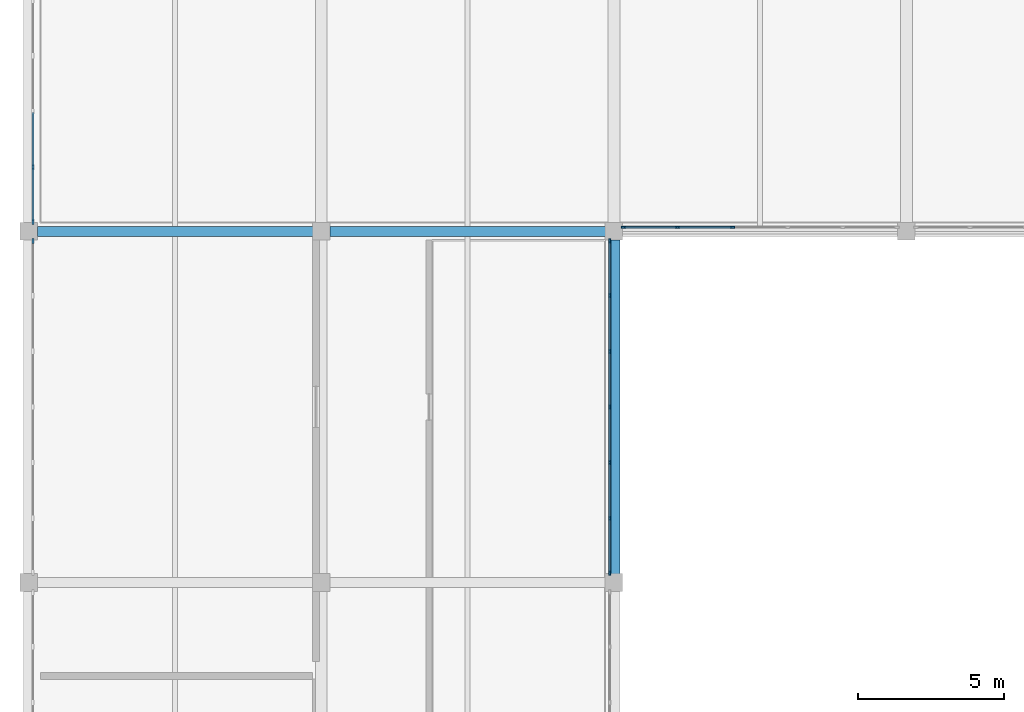
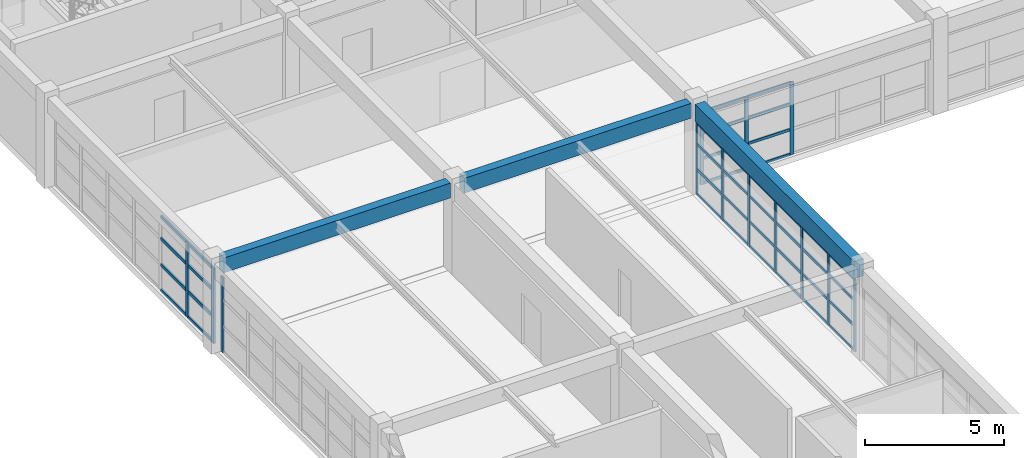
# One storey, part 7 of 28: 53 members, 3 beams, 4 elements without a shape of their own.
"""IFC4 building model written with IfcOpenShell, lengths in metres."""

from ifc_helpers import new_model, si_unit, direction, frame, origin, origin_2d, place, context, subcontext, project, spatial, rectangle, extrude, material, layer, layer_set, material_profile, profile_set, type_object, element, aggregate, save


model = new_model("IFC4")

# Units and contexts
model_context = context("Model", 3, precision=1e-05, world=origin(), true_north=direction((0.0, 1.0)))
body_context = subcontext(model_context, "Body", "Model", "MODEL_VIEW")
ifc_project = project(units=[si_unit("LENGTHUNIT", "METRE"), si_unit("AREAUNIT", "SQUARE_METRE"), si_unit("VOLUMEUNIT", "CUBIC_METRE"), si_unit("PLANEANGLEUNIT", "RADIAN"), si_unit("MASSUNIT", "GRAM", prefix="KILO")], contexts=[model_context])

# Site, building, storey
site_placement = place(None, origin())
site = spatial("IfcSite", under=ifc_project, at=site_placement, CompositionType="ELEMENT")
building_placement = place(site_placement, origin())
building = spatial("IfcBuilding", under=site, at=building_placement, Name="Kivolera Central Railway Station", CompositionType="ELEMENT")
storey_placement = place(building_placement, frame((0.0, 0.0, 18.60009765625)))
storey = spatial("IfcBuildingStorey", under=building, at=storey_placement, Name="L04", CompositionType="ELEMENT", Elevation=18.60009765625)

# Beams
ifc_material_1 = material(Name="Concrete C40/50", Category="concrete")
ifc_material_profile_1 = material_profile(ifc_material_1, rectangle(XDim=0.35009765625, YDim=0.64990234375, at=origin_2d()), Name="RC 350x650")
ifc_profile_set_1 = profile_set([ifc_material_profile_1], Name="Concrete C40/50")
beam_type_1 = type_object("IfcBeamType", Name="BM-RC-350x650", PredefinedType="BEAM", material=ifc_profile_set_1)
for number, where, z_axis, x_axis, name in (
    (1, (118.2919921875, 114.0, 3.625), (1.0, 0.0, 0.0), (0.0, 1.0, 0.0), "L04 Wing X-Beam K:12-13"),
    (2, (128.2919921875, 114.0, 3.625), (1.0, 0.0, 0.0), (0.0, 1.0, 0.0), "L04 Wing X-Beam K:13-14"),
):
    element("IfcBeam", number, at=place(storey_placement, frame(where, z_axis=z_axis, x_axis=x_axis)), inside=storey, type_object=beam_type_1, Name=name, PredefinedType="BEAM", context=body_context, shape_type="SweptSolid", body=[
        extrude(rectangle(XDim=0.35009765625, YDim=0.64990234375, at=origin_2d()), origin(), (0.0, 0.0, 1.0), 9.416015625),
    ])
ifc_material_profile_2 = material_profile(ifc_material_1, rectangle(XDim=0.39990234375, YDim=0.75, at=origin_2d()), Name="RC 400x750")
ifc_profile_set_2 = profile_set([ifc_material_profile_2], Name="Concrete C40/50")
beam_type_2 = type_object("IfcBeamType", Name="BM-RC-400x750", PredefinedType="BEAM", material=ifc_profile_set_2)
beam_placement = place(storey_placement, frame((138.0, 102.2919921875, 3.574951171875), z_axis=(0.0, 1.0, 0.0), x_axis=(-1.0, 0.0, 0.0)))
element("IfcBeam", 3, at=beam_placement, inside=storey, type_object=beam_type_2, Name="L04 Wing Y-Beam 14:J-K", PredefinedType="BEAM", context=body_context, shape_type="SweptSolid", body=[
    extrude(rectangle(XDim=0.39990234375, YDim=0.75, at=origin_2d()), origin(), (0.0, 0.0, 1.0), 11.416015625),
])

# Curtain wall, member
ifc_material_2 = material(Name="Anodised aluminium", Category="aluminium")
ifc_layer_1 = layer(ifc_material_2, 0.179931640625, Name="Anodised aluminium")
ifc_layer_set_1 = layer_set([ifc_layer_1], Name="Anodised aluminium")
curtain_wall_type_1 = type_object("IfcCurtainWallType", Name="CW-SYS-33", PredefinedType="NOTDEFINED", material=ifc_layer_set_1)
curtain_wall_1_placement = place(storey_placement, origin())
curtain_wall_1 = element("IfcCurtainWall", 4, at=curtain_wall_1_placement, inside=storey, type_object=curtain_wall_type_1, Name="L04 Curtain Wall CW-L04-WEST-J", PredefinedType="NOTDEFINED")
ifc_material_profile_3 = material_profile(ifc_material_2, rectangle(XDim=0.070068359375, YDim=0.179931640625, at=origin_2d()), Name="ALU MULL 70x180")
ifc_profile_set_3 = profile_set([ifc_material_profile_3], Name="Anodised aluminium")
member_type_1 = type_object("IfcMemberType", Name="CWM-MUL-1", PredefinedType="MULLION", material=ifc_profile_set_3)
member_1_placement = place(storey_placement, frame((118.14501953125, 113.669921875, -0.005126953125), z_axis=(0.0, 0.0, 1.0), x_axis=(-1.0, 0.0, 0.0)))
member_1 = element("IfcMember", 5, at=member_1_placement, type_object=member_type_1, Name="CW-33 mullion 7", PredefinedType="MULLION", context=body_context, shape_type="SweptSolid", body=[
    extrude(rectangle(XDim=0.070068359375, YDim=0.179931640625, at=origin_2d()), origin(), (0.0, 0.0, 1.0), 3.29296875),
])
aggregate(curtain_wall_1, [member_1])

# Curtain wall, members
curtain_wall_2_placement = place(storey_placement, origin())
curtain_wall_2 = element("IfcCurtainWall", 6, at=curtain_wall_2_placement, inside=storey, type_object=curtain_wall_type_1, Name="L04 Curtain Wall CW-L04-WEST-K", PredefinedType="NOTDEFINED")
member_2_placement = place(storey_placement, frame((118.14501953125, 114.330078125, -0.005126953125), z_axis=(0.0, 0.0, 1.0), x_axis=(-1.0, 0.0, 0.0)))
member_2 = element("IfcMember", 7, at=member_2_placement, type_object=member_type_1, Name="CW-33 mullion 1", PredefinedType="MULLION", context=body_context, shape_type="SweptSolid", body=[
    extrude(rectangle(XDim=0.070068359375, YDim=0.179931640625, at=origin_2d()), origin(), (0.0, 0.0, 1.0), 3.29296875),
])
member_3_placement = place(storey_placement, frame((118.14501953125, 116.19677734375, -0.005126953125), z_axis=(0.0, 0.0, 1.0), x_axis=(-1.0, 0.0, 0.0)))
member_3 = element("IfcMember", 8, at=member_3_placement, type_object=member_type_1, Name="CW-33 mullion 2", PredefinedType="MULLION", context=body_context, shape_type="SweptSolid", body=[
    extrude(rectangle(XDim=0.070068359375, YDim=0.179931640625, at=origin_2d()), origin(), (0.0, 0.0, 1.0), 3.29296875),
])

ifc_layer_2 = layer(ifc_material_2, 0.179931640625, Name="Anodised aluminium")
ifc_layer_set_2 = layer_set([ifc_layer_2], Name="Anodised aluminium")
curtain_wall_type_2 = type_object("IfcCurtainWallType", Name="CW-SYS-31", PredefinedType="NOTDEFINED", material=ifc_layer_set_2)
curtain_wall_3_placement = place(storey_placement, origin())
curtain_wall_3 = element("IfcCurtainWall", 9, at=curtain_wall_3_placement, inside=storey, type_object=curtain_wall_type_2, Name="L04 Curtain Wall CW-L04-CRTN-138", PredefinedType="NOTDEFINED")
ifc_material_profile_4 = material_profile(ifc_material_2, rectangle(XDim=0.06005859375, YDim=0.14990234375, at=origin_2d()), Name="ALU MULL 60x150")
ifc_profile_set_4 = profile_set([ifc_material_profile_4], Name="Anodised aluminium")
member_type_2 = type_object("IfcMemberType", Name="CWM-MUL-2", PredefinedType="MULLION", material=ifc_profile_set_4)
member_4_placement = place(storey_placement, frame((142.05908203125, 114.14501953125, -0.005126953125), z_axis=(0.0, 0.0, 1.0), x_axis=(0.0, -1.0, 0.0)))
member_4 = element("IfcMember", 10, at=member_4_placement, type_object=member_type_2, Name="CW-31 mullion 4", PredefinedType="MULLION", context=body_context, shape_type="SweptSolid", body=[
    extrude(rectangle(XDim=0.06005859375, YDim=0.14990234375, at=origin_2d()), origin(), (0.0, 0.0, 1.0), 3.193115234375),
])
member_5_placement = place(storey_placement, frame((140.177001953125, 114.14501953125, -0.005126953125), z_axis=(0.0, 0.0, 1.0), x_axis=(0.0, -1.0, 0.0)))
member_5 = element("IfcMember", 11, at=member_5_placement, type_object=member_type_2, Name="CW-31 mullion 5", PredefinedType="MULLION", context=body_context, shape_type="SweptSolid", body=[
    extrude(rectangle(XDim=0.06005859375, YDim=0.14990234375, at=origin_2d()), origin(), (0.0, 0.0, 1.0), 3.193115234375),
])
member_6_placement = place(storey_placement, frame((138.324951171875, 114.14501953125, -0.005126953125), z_axis=(0.0, 0.0, 1.0), x_axis=(0.0, -1.0, 0.0)))
member_6 = element("IfcMember", 12, at=member_6_placement, type_object=member_type_2, Name="CW-31 mullion 6", PredefinedType="MULLION", context=body_context, shape_type="SweptSolid", body=[
    extrude(rectangle(XDim=0.06005859375, YDim=0.14990234375, at=origin_2d()), origin(), (0.0, 0.0, 1.0), 3.193115234375),
])

ifc_layer_3 = layer(ifc_material_2, 0.179931640625, Name="Anodised aluminium")
ifc_layer_set_3 = layer_set([ifc_layer_3], Name="Anodised aluminium")
curtain_wall_type_3 = type_object("IfcCurtainWallType", Name="CW-SYS-32", PredefinedType="NOTDEFINED", material=ifc_layer_set_3)
curtain_wall_4_placement = place(storey_placement, origin())
curtain_wall_4 = element("IfcCurtainWall", 13, at=curtain_wall_4_placement, inside=storey, type_object=curtain_wall_type_3, Name="L04 Curtain Wall CW-L04-CRTW-J", PredefinedType="NOTDEFINED")
member_7_placement = place(storey_placement, frame((137.85498046875, 113.675048828125, -0.005126953125), z_axis=(0.0, 0.0, 1.0), x_axis=(1.0, 0.0, 0.0)))
member_7 = element("IfcMember", 14, at=member_7_placement, type_object=member_type_2, Name="CW-32 mullion 1", PredefinedType="MULLION", context=body_context, shape_type="SweptSolid", body=[
    extrude(rectangle(XDim=0.06005859375, YDim=0.14990234375, at=origin_2d()), origin(), (0.0, 0.0, 1.0), 3.193115234375),
])
member_8_placement = place(storey_placement, frame((137.85498046875, 111.80322265625, -0.005126953125), z_axis=(0.0, 0.0, 1.0), x_axis=(1.0, 0.0, 0.0)))
member_8 = element("IfcMember", 15, at=member_8_placement, type_object=member_type_2, Name="CW-32 mullion 2", PredefinedType="MULLION", context=body_context, shape_type="SweptSolid", body=[
    extrude(rectangle(XDim=0.06005859375, YDim=0.14990234375, at=origin_2d()), origin(), (0.0, 0.0, 1.0), 3.193115234375),
])
member_9_placement = place(storey_placement, frame((137.85498046875, 109.901611328125, -0.005126953125), z_axis=(0.0, 0.0, 1.0), x_axis=(1.0, 0.0, 0.0)))
member_9 = element("IfcMember", 16, at=member_9_placement, type_object=member_type_2, Name="CW-32 mullion 3", PredefinedType="MULLION", context=body_context, shape_type="SweptSolid", body=[
    extrude(rectangle(XDim=0.06005859375, YDim=0.14990234375, at=origin_2d()), origin(), (0.0, 0.0, 1.0), 3.193115234375),
])
member_10_placement = place(storey_placement, frame((137.85498046875, 108.0, -0.005126953125), z_axis=(0.0, 0.0, 1.0), x_axis=(1.0, 0.0, 0.0)))
member_10 = element("IfcMember", 17, at=member_10_placement, type_object=member_type_2, Name="CW-32 mullion 4", PredefinedType="MULLION", context=body_context, shape_type="SweptSolid", body=[
    extrude(rectangle(XDim=0.06005859375, YDim=0.14990234375, at=origin_2d()), origin(), (0.0, 0.0, 1.0), 3.193115234375),
])
member_11_placement = place(storey_placement, frame((137.85498046875, 106.098388671875, -0.005126953125), z_axis=(0.0, 0.0, 1.0), x_axis=(1.0, 0.0, 0.0)))
member_11 = element("IfcMember", 18, at=member_11_placement, type_object=member_type_2, Name="CW-32 mullion 5", PredefinedType="MULLION", context=body_context, shape_type="SweptSolid", body=[
    extrude(rectangle(XDim=0.06005859375, YDim=0.14990234375, at=origin_2d()), origin(), (0.0, 0.0, 1.0), 3.193115234375),
])
member_12_placement = place(storey_placement, frame((137.85498046875, 104.19677734375, -0.005126953125), z_axis=(0.0, 0.0, 1.0), x_axis=(1.0, 0.0, 0.0)))
member_12 = element("IfcMember", 19, at=member_12_placement, type_object=member_type_2, Name="CW-32 mullion 6", PredefinedType="MULLION", context=body_context, shape_type="SweptSolid", body=[
    extrude(rectangle(XDim=0.06005859375, YDim=0.14990234375, at=origin_2d()), origin(), (0.0, 0.0, 1.0), 3.193115234375),
])
member_13_placement = place(storey_placement, frame((137.85498046875, 102.324951171875, -0.005126953125), z_axis=(0.0, 0.0, 1.0), x_axis=(1.0, 0.0, 0.0)))
member_13 = element("IfcMember", 20, at=member_13_placement, type_object=member_type_2, Name="CW-32 mullion 7", PredefinedType="MULLION", context=body_context, shape_type="SweptSolid", body=[
    extrude(rectangle(XDim=0.06005859375, YDim=0.14990234375, at=origin_2d()), origin(), (0.0, 0.0, 1.0), 3.193115234375),
])

# Member
ifc_material_profile_5 = material_profile(ifc_material_2, rectangle(XDim=0.070068359375, YDim=0.139892578125, at=origin_2d()), Name="ALU TRAN 70x140")
ifc_profile_set_5 = profile_set([ifc_material_profile_5], Name="Anodised aluminium")
member_type_3 = type_object("IfcMemberType", Name="CWM-TRN-1", PredefinedType="USERDEFINED", material=ifc_profile_set_5)
member_14_placement = place(storey_placement, frame((118.14501953125, 114.364990234375, 0.034912109375), z_axis=(0.0, 1.0, 0.0), x_axis=(-1.0, 0.0, 0.0)))
member_14 = element("IfcMember", 21, at=member_14_placement, type_object=member_type_3, Name="CW-33 transom 1.1", ObjectType="TRANSOM", PredefinedType="USERDEFINED", context=body_context, shape_type="SweptSolid", body=[
    extrude(rectangle(XDim=0.070068359375, YDim=0.139892578125, at=origin_2d()), origin(), (0.0, 0.0, 1.0), 1.796630859375),
])

member_15_placement = place(storey_placement, frame((118.14501953125, 114.364990234375, 1.150634765625), z_axis=(0.0, 1.0, 0.0), x_axis=(-1.0, 0.0, 0.0)))
member_15 = element("IfcMember", 22, at=member_15_placement, type_object=member_type_3, Name="CW-33 transom 1.2", ObjectType="TRANSOM", PredefinedType="USERDEFINED", context=body_context, shape_type="SweptSolid", body=[
    extrude(rectangle(XDim=0.070068359375, YDim=0.139892578125, at=origin_2d()), origin(), (0.0, 0.0, 1.0), 1.796630859375),
])

member_16_placement = place(storey_placement, frame((118.14501953125, 114.364990234375, 2.301513671875), z_axis=(0.0, 1.0, 0.0), x_axis=(-1.0, 0.0, 0.0)))
member_16 = element("IfcMember", 23, at=member_16_placement, type_object=member_type_3, Name="CW-33 transom 1.3", ObjectType="TRANSOM", PredefinedType="USERDEFINED", context=body_context, shape_type="SweptSolid", body=[
    extrude(rectangle(XDim=0.070068359375, YDim=0.139892578125, at=origin_2d()), origin(), (0.0, 0.0, 1.0), 1.796630859375),
])

member_17_placement = place(storey_placement, frame((118.14501953125, 114.364990234375, 3.2529296875), z_axis=(0.0, 1.0, 0.0), x_axis=(-1.0, 0.0, 0.0)))
member_17 = element("IfcMember", 24, at=member_17_placement, type_object=member_type_3, Name="CW-33 transom 1.4", ObjectType="TRANSOM", PredefinedType="USERDEFINED", context=body_context, shape_type="SweptSolid", body=[
    extrude(rectangle(XDim=0.070068359375, YDim=0.139892578125, at=origin_2d()), origin(), (0.0, 0.0, 1.0), 1.796630859375),
])

member_18_placement = place(storey_placement, frame((118.14501953125, 116.231689453125, 0.034912109375), z_axis=(0.0, 1.0, 0.0), x_axis=(-1.0, 0.0, 0.0)))
member_18 = element("IfcMember", 25, at=member_18_placement, type_object=member_type_3, Name="CW-33 transom 2.1", ObjectType="TRANSOM", PredefinedType="USERDEFINED", context=body_context, shape_type="SweptSolid", body=[
    extrude(rectangle(XDim=0.070068359375, YDim=0.139892578125, at=origin_2d()), origin(), (0.0, 0.0, 1.0), 1.83154296875),
])

member_19_placement = place(storey_placement, frame((118.14501953125, 116.231689453125, 1.150634765625), z_axis=(0.0, 1.0, 0.0), x_axis=(-1.0, 0.0, 0.0)))
member_19 = element("IfcMember", 26, at=member_19_placement, type_object=member_type_3, Name="CW-33 transom 2.2", ObjectType="TRANSOM", PredefinedType="USERDEFINED", context=body_context, shape_type="SweptSolid", body=[
    extrude(rectangle(XDim=0.070068359375, YDim=0.139892578125, at=origin_2d()), origin(), (0.0, 0.0, 1.0), 1.83154296875),
])

member_20_placement = place(storey_placement, frame((118.14501953125, 116.231689453125, 2.301513671875), z_axis=(0.0, 1.0, 0.0), x_axis=(-1.0, 0.0, 0.0)))
member_20 = element("IfcMember", 27, at=member_20_placement, type_object=member_type_3, Name="CW-33 transom 2.3", ObjectType="TRANSOM", PredefinedType="USERDEFINED", context=body_context, shape_type="SweptSolid", body=[
    extrude(rectangle(XDim=0.070068359375, YDim=0.139892578125, at=origin_2d()), origin(), (0.0, 0.0, 1.0), 1.83154296875),
])

member_21_placement = place(storey_placement, frame((118.14501953125, 116.231689453125, 3.2529296875), z_axis=(0.0, 1.0, 0.0), x_axis=(-1.0, 0.0, 0.0)))
member_21 = element("IfcMember", 28, at=member_21_placement, type_object=member_type_3, Name="CW-33 transom 2.4", ObjectType="TRANSOM", PredefinedType="USERDEFINED", context=body_context, shape_type="SweptSolid", body=[
    extrude(rectangle(XDim=0.070068359375, YDim=0.139892578125, at=origin_2d()), origin(), (0.0, 0.0, 1.0), 1.83154296875),
])

aggregate(curtain_wall_2, [member_2, member_3, member_14, member_15, member_16, member_17, member_18, member_19, member_20, member_21])

ifc_material_profile_6 = material_profile(ifc_material_2, rectangle(XDim=0.06005859375, YDim=0.1201171875, at=origin_2d()), Name="ALU TRAN 60x120")
ifc_profile_set_6 = profile_set([ifc_material_profile_6], Name="Anodised aluminium")
member_type_4 = type_object("IfcMemberType", Name="CWM-TRN-2", PredefinedType="USERDEFINED", material=ifc_profile_set_6)
member_22_placement = place(storey_placement, frame((142.029052734375, 114.14501953125, 0.02978515625), z_axis=(-1.0, 0.0, 0.0), x_axis=(0.0, -1.0, 0.0)))
member_22 = element("IfcMember", 29, at=member_22_placement, type_object=member_type_4, Name="CW-31 transom 4.1", ObjectType="TRANSOM", PredefinedType="USERDEFINED", context=body_context, shape_type="SweptSolid", body=[
    extrude(rectangle(XDim=0.06005859375, YDim=0.1201171875, at=origin_2d()), origin(), (0.0, 0.0, 1.0), 1.822021484375),
])

member_23_placement = place(storey_placement, frame((142.029052734375, 114.14501953125, 1.11572265625), z_axis=(-1.0, 0.0, 0.0), x_axis=(0.0, -1.0, 0.0)))
member_23 = element("IfcMember", 30, at=member_23_placement, type_object=member_type_4, Name="CW-31 transom 4.2", ObjectType="TRANSOM", PredefinedType="USERDEFINED", context=body_context, shape_type="SweptSolid", body=[
    extrude(rectangle(XDim=0.06005859375, YDim=0.1201171875, at=origin_2d()), origin(), (0.0, 0.0, 1.0), 1.822021484375),
])

member_24_placement = place(storey_placement, frame((142.029052734375, 114.14501953125, 2.2314453125), z_axis=(-1.0, 0.0, 0.0), x_axis=(0.0, -1.0, 0.0)))
member_24 = element("IfcMember", 31, at=member_24_placement, type_object=member_type_4, Name="CW-31 transom 4.3", ObjectType="TRANSOM", PredefinedType="USERDEFINED", context=body_context, shape_type="SweptSolid", body=[
    extrude(rectangle(XDim=0.06005859375, YDim=0.1201171875, at=origin_2d()), origin(), (0.0, 0.0, 1.0), 1.822021484375),
])

member_25_placement = place(storey_placement, frame((142.029052734375, 114.14501953125, 3.157958984375), z_axis=(-1.0, 0.0, 0.0), x_axis=(0.0, -1.0, 0.0)))
member_25 = element("IfcMember", 32, at=member_25_placement, type_object=member_type_4, Name="CW-31 transom 4.4", ObjectType="TRANSOM", PredefinedType="USERDEFINED", context=body_context, shape_type="SweptSolid", body=[
    extrude(rectangle(XDim=0.06005859375, YDim=0.1201171875, at=origin_2d()), origin(), (0.0, 0.0, 1.0), 1.822021484375),
])

member_26_placement = place(storey_placement, frame((140.14697265625, 114.14501953125, 0.02978515625), z_axis=(-1.0, 0.0, 0.0), x_axis=(0.0, -1.0, 0.0)))
member_26 = element("IfcMember", 33, at=member_26_placement, type_object=member_type_4, Name="CW-31 transom 5.1", ObjectType="TRANSOM", PredefinedType="USERDEFINED", context=body_context, shape_type="SweptSolid", body=[
    extrude(rectangle(XDim=0.06005859375, YDim=0.1201171875, at=origin_2d()), origin(), (0.0, 0.0, 1.0), 1.7919921875),
])

member_27_placement = place(storey_placement, frame((140.14697265625, 114.14501953125, 1.11572265625), z_axis=(-1.0, 0.0, 0.0), x_axis=(0.0, -1.0, 0.0)))
member_27 = element("IfcMember", 34, at=member_27_placement, type_object=member_type_4, Name="CW-31 transom 5.2", ObjectType="TRANSOM", PredefinedType="USERDEFINED", context=body_context, shape_type="SweptSolid", body=[
    extrude(rectangle(XDim=0.06005859375, YDim=0.1201171875, at=origin_2d()), origin(), (0.0, 0.0, 1.0), 1.7919921875),
])

member_28_placement = place(storey_placement, frame((140.14697265625, 114.14501953125, 2.2314453125), z_axis=(-1.0, 0.0, 0.0), x_axis=(0.0, -1.0, 0.0)))
member_28 = element("IfcMember", 35, at=member_28_placement, type_object=member_type_4, Name="CW-31 transom 5.3", ObjectType="TRANSOM", PredefinedType="USERDEFINED", context=body_context, shape_type="SweptSolid", body=[
    extrude(rectangle(XDim=0.06005859375, YDim=0.1201171875, at=origin_2d()), origin(), (0.0, 0.0, 1.0), 1.7919921875),
])

member_29_placement = place(storey_placement, frame((140.14697265625, 114.14501953125, 3.157958984375), z_axis=(-1.0, 0.0, 0.0), x_axis=(0.0, -1.0, 0.0)))
member_29 = element("IfcMember", 36, at=member_29_placement, type_object=member_type_4, Name="CW-31 transom 5.4", ObjectType="TRANSOM", PredefinedType="USERDEFINED", context=body_context, shape_type="SweptSolid", body=[
    extrude(rectangle(XDim=0.06005859375, YDim=0.1201171875, at=origin_2d()), origin(), (0.0, 0.0, 1.0), 1.7919921875),
])

aggregate(curtain_wall_3, [member_4, member_5, member_6, member_22, member_23, member_24, member_25, member_26, member_27, member_28, member_29])

member_30_placement = place(storey_placement, frame((137.85498046875, 113.64501953125, 0.02978515625), z_axis=(0.0, -1.0, 0.0), x_axis=(1.0, 0.0, 0.0)))
member_30 = element("IfcMember", 37, at=member_30_placement, type_object=member_type_4, Name="CW-32 transom 1.1", ObjectType="TRANSOM", PredefinedType="USERDEFINED", context=body_context, shape_type="SweptSolid", body=[
    extrude(rectangle(XDim=0.06005859375, YDim=0.1201171875, at=origin_2d()), origin(), (0.0, 0.0, 1.0), 1.811767578125),
])

member_31_placement = place(storey_placement, frame((137.85498046875, 113.64501953125, 1.11572265625), z_axis=(0.0, -1.0, 0.0), x_axis=(1.0, 0.0, 0.0)))
member_31 = element("IfcMember", 38, at=member_31_placement, type_object=member_type_4, Name="CW-32 transom 1.2", ObjectType="TRANSOM", PredefinedType="USERDEFINED", context=body_context, shape_type="SweptSolid", body=[
    extrude(rectangle(XDim=0.06005859375, YDim=0.1201171875, at=origin_2d()), origin(), (0.0, 0.0, 1.0), 1.811767578125),
])

member_32_placement = place(storey_placement, frame((137.85498046875, 113.64501953125, 2.2314453125), z_axis=(0.0, -1.0, 0.0), x_axis=(1.0, 0.0, 0.0)))
member_32 = element("IfcMember", 39, at=member_32_placement, type_object=member_type_4, Name="CW-32 transom 1.3", ObjectType="TRANSOM", PredefinedType="USERDEFINED", context=body_context, shape_type="SweptSolid", body=[
    extrude(rectangle(XDim=0.06005859375, YDim=0.1201171875, at=origin_2d()), origin(), (0.0, 0.0, 1.0), 1.811767578125),
])

member_33_placement = place(storey_placement, frame((137.85498046875, 113.64501953125, 3.157958984375), z_axis=(0.0, -1.0, 0.0), x_axis=(1.0, 0.0, 0.0)))
member_33 = element("IfcMember", 40, at=member_33_placement, type_object=member_type_4, Name="CW-32 transom 1.4", ObjectType="TRANSOM", PredefinedType="USERDEFINED", context=body_context, shape_type="SweptSolid", body=[
    extrude(rectangle(XDim=0.06005859375, YDim=0.1201171875, at=origin_2d()), origin(), (0.0, 0.0, 1.0), 1.811767578125),
])

member_34_placement = place(storey_placement, frame((137.85498046875, 111.7734375, 0.02978515625), z_axis=(0.0, -1.0, 0.0), x_axis=(1.0, 0.0, 0.0)))
member_34 = element("IfcMember", 41, at=member_34_placement, type_object=member_type_4, Name="CW-32 transom 2.1", ObjectType="TRANSOM", PredefinedType="USERDEFINED", context=body_context, shape_type="SweptSolid", body=[
    extrude(rectangle(XDim=0.06005859375, YDim=0.1201171875, at=origin_2d()), origin(), (0.0, 0.0, 1.0), 1.841796875),
])

member_35_placement = place(storey_placement, frame((137.85498046875, 111.7734375, 1.11572265625), z_axis=(0.0, -1.0, 0.0), x_axis=(1.0, 0.0, 0.0)))
member_35 = element("IfcMember", 42, at=member_35_placement, type_object=member_type_4, Name="CW-32 transom 2.2", ObjectType="TRANSOM", PredefinedType="USERDEFINED", context=body_context, shape_type="SweptSolid", body=[
    extrude(rectangle(XDim=0.06005859375, YDim=0.1201171875, at=origin_2d()), origin(), (0.0, 0.0, 1.0), 1.841796875),
])

member_36_placement = place(storey_placement, frame((137.85498046875, 111.7734375, 2.2314453125), z_axis=(0.0, -1.0, 0.0), x_axis=(1.0, 0.0, 0.0)))
member_36 = element("IfcMember", 43, at=member_36_placement, type_object=member_type_4, Name="CW-32 transom 2.3", ObjectType="TRANSOM", PredefinedType="USERDEFINED", context=body_context, shape_type="SweptSolid", body=[
    extrude(rectangle(XDim=0.06005859375, YDim=0.1201171875, at=origin_2d()), origin(), (0.0, 0.0, 1.0), 1.841796875),
])

member_37_placement = place(storey_placement, frame((137.85498046875, 111.7734375, 3.157958984375), z_axis=(0.0, -1.0, 0.0), x_axis=(1.0, 0.0, 0.0)))
member_37 = element("IfcMember", 44, at=member_37_placement, type_object=member_type_4, Name="CW-32 transom 2.4", ObjectType="TRANSOM", PredefinedType="USERDEFINED", context=body_context, shape_type="SweptSolid", body=[
    extrude(rectangle(XDim=0.06005859375, YDim=0.1201171875, at=origin_2d()), origin(), (0.0, 0.0, 1.0), 1.841796875),
])

member_38_placement = place(storey_placement, frame((137.85498046875, 109.87158203125, 0.02978515625), z_axis=(0.0, -1.0, 0.0), x_axis=(1.0, 0.0, 0.0)))
member_38 = element("IfcMember", 45, at=member_38_placement, type_object=member_type_4, Name="CW-32 transom 3.1", ObjectType="TRANSOM", PredefinedType="USERDEFINED", context=body_context, shape_type="SweptSolid", body=[
    extrude(rectangle(XDim=0.06005859375, YDim=0.1201171875, at=origin_2d()), origin(), (0.0, 0.0, 1.0), 1.841552734375),
])

member_39_placement = place(storey_placement, frame((137.85498046875, 109.87158203125, 1.11572265625), z_axis=(0.0, -1.0, 0.0), x_axis=(1.0, 0.0, 0.0)))
member_39 = element("IfcMember", 46, at=member_39_placement, type_object=member_type_4, Name="CW-32 transom 3.2", ObjectType="TRANSOM", PredefinedType="USERDEFINED", context=body_context, shape_type="SweptSolid", body=[
    extrude(rectangle(XDim=0.06005859375, YDim=0.1201171875, at=origin_2d()), origin(), (0.0, 0.0, 1.0), 1.841552734375),
])

member_40_placement = place(storey_placement, frame((137.85498046875, 109.87158203125, 2.2314453125), z_axis=(0.0, -1.0, 0.0), x_axis=(1.0, 0.0, 0.0)))
member_40 = element("IfcMember", 47, at=member_40_placement, type_object=member_type_4, Name="CW-32 transom 3.3", ObjectType="TRANSOM", PredefinedType="USERDEFINED", context=body_context, shape_type="SweptSolid", body=[
    extrude(rectangle(XDim=0.06005859375, YDim=0.1201171875, at=origin_2d()), origin(), (0.0, 0.0, 1.0), 1.841552734375),
])

member_41_placement = place(storey_placement, frame((137.85498046875, 109.87158203125, 3.157958984375), z_axis=(0.0, -1.0, 0.0), x_axis=(1.0, 0.0, 0.0)))
member_41 = element("IfcMember", 48, at=member_41_placement, type_object=member_type_4, Name="CW-32 transom 3.4", ObjectType="TRANSOM", PredefinedType="USERDEFINED", context=body_context, shape_type="SweptSolid", body=[
    extrude(rectangle(XDim=0.06005859375, YDim=0.1201171875, at=origin_2d()), origin(), (0.0, 0.0, 1.0), 1.841552734375),
])

member_42_placement = place(storey_placement, frame((137.85498046875, 107.969970703125, 0.02978515625), z_axis=(0.0, -1.0, 0.0), x_axis=(1.0, 0.0, 0.0)))
member_42 = element("IfcMember", 49, at=member_42_placement, type_object=member_type_4, Name="CW-32 transom 4.1", ObjectType="TRANSOM", PredefinedType="USERDEFINED", context=body_context, shape_type="SweptSolid", body=[
    extrude(rectangle(XDim=0.06005859375, YDim=0.1201171875, at=origin_2d()), origin(), (0.0, 0.0, 1.0), 1.841552734375),
])

member_43_placement = place(storey_placement, frame((137.85498046875, 107.969970703125, 1.11572265625), z_axis=(0.0, -1.0, 0.0), x_axis=(1.0, 0.0, 0.0)))
member_43 = element("IfcMember", 50, at=member_43_placement, type_object=member_type_4, Name="CW-32 transom 4.2", ObjectType="TRANSOM", PredefinedType="USERDEFINED", context=body_context, shape_type="SweptSolid", body=[
    extrude(rectangle(XDim=0.06005859375, YDim=0.1201171875, at=origin_2d()), origin(), (0.0, 0.0, 1.0), 1.841552734375),
])

member_44_placement = place(storey_placement, frame((137.85498046875, 107.969970703125, 2.2314453125), z_axis=(0.0, -1.0, 0.0), x_axis=(1.0, 0.0, 0.0)))
member_44 = element("IfcMember", 51, at=member_44_placement, type_object=member_type_4, Name="CW-32 transom 4.3", ObjectType="TRANSOM", PredefinedType="USERDEFINED", context=body_context, shape_type="SweptSolid", body=[
    extrude(rectangle(XDim=0.06005859375, YDim=0.1201171875, at=origin_2d()), origin(), (0.0, 0.0, 1.0), 1.841552734375),
])

member_45_placement = place(storey_placement, frame((137.85498046875, 107.969970703125, 3.157958984375), z_axis=(0.0, -1.0, 0.0), x_axis=(1.0, 0.0, 0.0)))
member_45 = element("IfcMember", 52, at=member_45_placement, type_object=member_type_4, Name="CW-32 transom 4.4", ObjectType="TRANSOM", PredefinedType="USERDEFINED", context=body_context, shape_type="SweptSolid", body=[
    extrude(rectangle(XDim=0.06005859375, YDim=0.1201171875, at=origin_2d()), origin(), (0.0, 0.0, 1.0), 1.841552734375),
])

member_46_placement = place(storey_placement, frame((137.85498046875, 106.068359375, 0.02978515625), z_axis=(0.0, -1.0, 0.0), x_axis=(1.0, 0.0, 0.0)))
member_46 = element("IfcMember", 53, at=member_46_placement, type_object=member_type_4, Name="CW-32 transom 5.1", ObjectType="TRANSOM", PredefinedType="USERDEFINED", context=body_context, shape_type="SweptSolid", body=[
    extrude(rectangle(XDim=0.06005859375, YDim=0.1201171875, at=origin_2d()), origin(), (0.0, 0.0, 1.0), 1.841796875),
])

member_47_placement = place(storey_placement, frame((137.85498046875, 106.068359375, 1.11572265625), z_axis=(0.0, -1.0, 0.0), x_axis=(1.0, 0.0, 0.0)))
member_47 = element("IfcMember", 54, at=member_47_placement, type_object=member_type_4, Name="CW-32 transom 5.2", ObjectType="TRANSOM", PredefinedType="USERDEFINED", context=body_context, shape_type="SweptSolid", body=[
    extrude(rectangle(XDim=0.06005859375, YDim=0.1201171875, at=origin_2d()), origin(), (0.0, 0.0, 1.0), 1.841796875),
])

member_48_placement = place(storey_placement, frame((137.85498046875, 106.068359375, 2.2314453125), z_axis=(0.0, -1.0, 0.0), x_axis=(1.0, 0.0, 0.0)))
member_48 = element("IfcMember", 55, at=member_48_placement, type_object=member_type_4, Name="CW-32 transom 5.3", ObjectType="TRANSOM", PredefinedType="USERDEFINED", context=body_context, shape_type="SweptSolid", body=[
    extrude(rectangle(XDim=0.06005859375, YDim=0.1201171875, at=origin_2d()), origin(), (0.0, 0.0, 1.0), 1.841796875),
])

member_49_placement = place(storey_placement, frame((137.85498046875, 106.068359375, 3.157958984375), z_axis=(0.0, -1.0, 0.0), x_axis=(1.0, 0.0, 0.0)))
member_49 = element("IfcMember", 56, at=member_49_placement, type_object=member_type_4, Name="CW-32 transom 5.4", ObjectType="TRANSOM", PredefinedType="USERDEFINED", context=body_context, shape_type="SweptSolid", body=[
    extrude(rectangle(XDim=0.06005859375, YDim=0.1201171875, at=origin_2d()), origin(), (0.0, 0.0, 1.0), 1.841796875),
])

member_50_placement = place(storey_placement, frame((137.85498046875, 104.166748046875, 0.02978515625), z_axis=(0.0, -1.0, 0.0), x_axis=(1.0, 0.0, 0.0)))
member_50 = element("IfcMember", 57, at=member_50_placement, type_object=member_type_4, Name="CW-32 transom 6.1", ObjectType="TRANSOM", PredefinedType="USERDEFINED", context=body_context, shape_type="SweptSolid", body=[
    extrude(rectangle(XDim=0.06005859375, YDim=0.1201171875, at=origin_2d()), origin(), (0.0, 0.0, 1.0), 1.811767578125),
])

member_51_placement = place(storey_placement, frame((137.85498046875, 104.166748046875, 1.11572265625), z_axis=(0.0, -1.0, 0.0), x_axis=(1.0, 0.0, 0.0)))
member_51 = element("IfcMember", 58, at=member_51_placement, type_object=member_type_4, Name="CW-32 transom 6.2", ObjectType="TRANSOM", PredefinedType="USERDEFINED", context=body_context, shape_type="SweptSolid", body=[
    extrude(rectangle(XDim=0.06005859375, YDim=0.1201171875, at=origin_2d()), origin(), (0.0, 0.0, 1.0), 1.811767578125),
])

member_52_placement = place(storey_placement, frame((137.85498046875, 104.166748046875, 2.2314453125), z_axis=(0.0, -1.0, 0.0), x_axis=(1.0, 0.0, 0.0)))
member_52 = element("IfcMember", 59, at=member_52_placement, type_object=member_type_4, Name="CW-32 transom 6.3", ObjectType="TRANSOM", PredefinedType="USERDEFINED", context=body_context, shape_type="SweptSolid", body=[
    extrude(rectangle(XDim=0.06005859375, YDim=0.1201171875, at=origin_2d()), origin(), (0.0, 0.0, 1.0), 1.811767578125),
])

member_53_placement = place(storey_placement, frame((137.85498046875, 104.166748046875, 3.157958984375), z_axis=(0.0, -1.0, 0.0), x_axis=(1.0, 0.0, 0.0)))
member_53 = element("IfcMember", 60, at=member_53_placement, type_object=member_type_4, Name="CW-32 transom 6.4", ObjectType="TRANSOM", PredefinedType="USERDEFINED", context=body_context, shape_type="SweptSolid", body=[
    extrude(rectangle(XDim=0.06005859375, YDim=0.1201171875, at=origin_2d()), origin(), (0.0, 0.0, 1.0), 1.811767578125),
])

aggregate(curtain_wall_4, [member_7, member_8, member_9, member_10, member_11, member_12, member_13, member_30, member_31, member_32, member_33, member_34, member_35, member_36, member_37, member_38, member_39, member_40, member_41, member_42, member_43, member_44, member_45, member_46, member_47, member_48, member_49, member_50, member_51, member_52, member_53])

save(model, "model.ifc")
